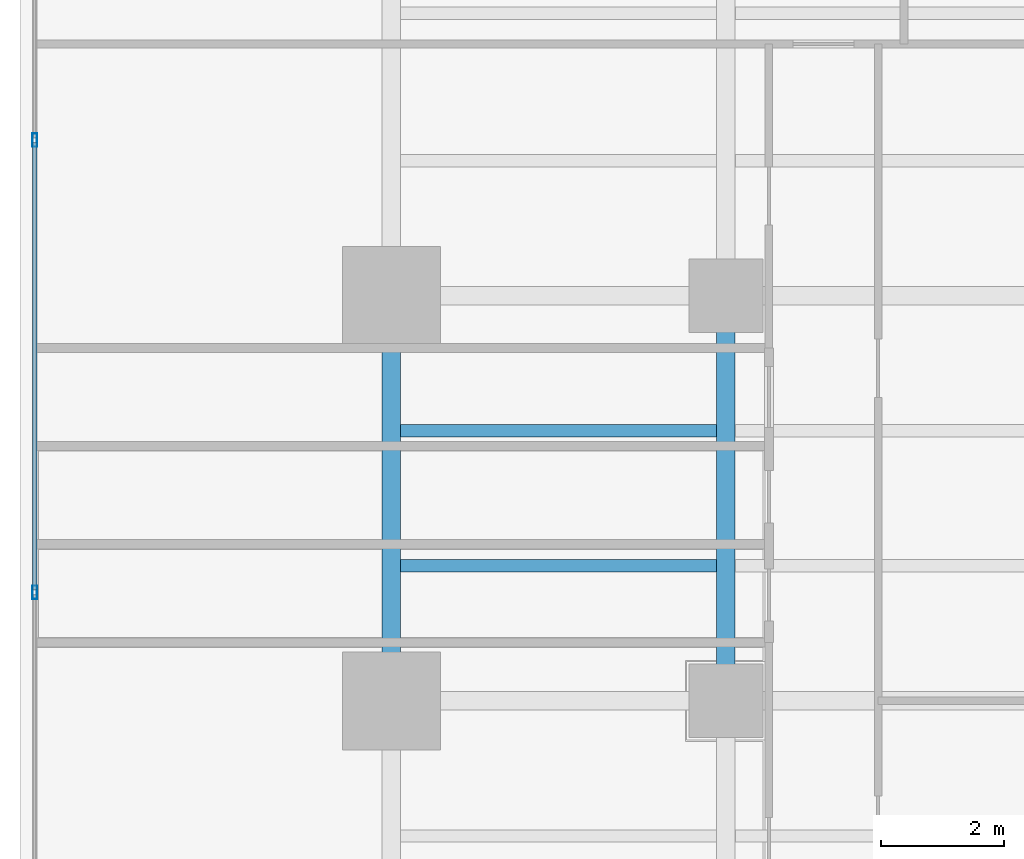
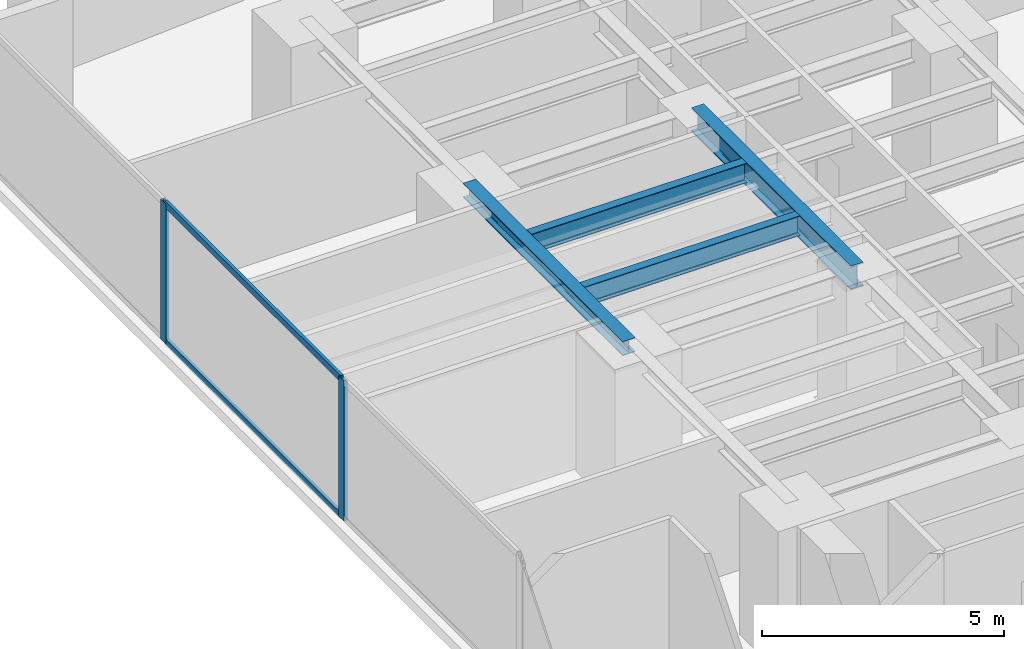
# One storey, part 15 of 30: 4 beams, 4 members, 1 element without a shape of its own.
"""IFC4 building model written with IfcOpenShell, lengths in metres."""

from ifc_helpers import new_model, si_unit, direction, frame, origin, origin_with_axes, origin_2d, place, context, subcontext, project, spatial, hollow_rectangle, i_section, extrude, source, transform, mapped, material, layer, layer_set, material_profile, profile_set, type_object, element, aggregate, save


model = new_model("IFC4")

# Units and contexts
model_context = context("Model", 3, precision=1e-05, world=origin(), true_north=direction((0.0, 1.0)))
body_context = subcontext(model_context, "Body", "Model", "MODEL_VIEW")
ifc_project = project(units=[si_unit("LENGTHUNIT", "METRE"), si_unit("AREAUNIT", "SQUARE_METRE"), si_unit("VOLUMEUNIT", "CUBIC_METRE"), si_unit("PLANEANGLEUNIT", "RADIAN"), si_unit("MASSUNIT", "GRAM", prefix="KILO")], contexts=[model_context])

# Site, building, storey
site_placement = place(None, origin())
site = spatial("IfcSite", under=ifc_project, at=site_placement, CompositionType="ELEMENT")
building_placement = place(site_placement, origin())
building = spatial("IfcBuilding", under=site, at=building_placement, Name="Kolvaren Waterfront Exchange", CompositionType="ELEMENT")
storey_placement = place(building_placement, frame((0.0, 0.0, 52.39990234375)))
storey = spatial("IfcBuildingStorey", under=building, at=storey_placement, Name="L13", CompositionType="ELEMENT", Elevation=52.39990234375)

# Beams
ifc_material_1 = material(Name="Steel S355", Category="steel")
ifc_material_profile_1 = material_profile(ifc_material_1, i_section(OverallWidth=0.300048828125, OverallDepth=0.360107421875, WebThickness=0.012451171875, FlangeThickness=0.0224609375, FilletRadius=0.027099609375, at=origin_2d()), Name="HEB360")
ifc_profile_set_1 = profile_set([ifc_material_profile_1], Name="Steel S355")
beam_type_1 = type_object("IfcBeamType", Name="STR-BM-HEB360", PredefinedType="SPANDREL", material=ifc_profile_set_1)
beam_1_placement = place(storey_placement, frame((7.449951171875, 31.199951171875, 3.360107421875), z_axis=(0.0, 1.0, 0.0), x_axis=(-1.0, 0.0, 0.0)))
element("IfcBeam", 1, at=beam_1_placement, inside=storey, type_object=beam_type_1, Name="L13 north-arm edge beam 2", PredefinedType="SPANDREL", context=body_context, shape_type="SweptSolid", body=[
    extrude(i_section(OverallWidth=0.300048828125, OverallDepth=0.360107421875, WebThickness=0.012451171875, FlangeThickness=0.0224609375, FilletRadius=0.027099609375, at=origin_2d()), origin(), (0.0, 0.0, 1.0), 6.60009765625),
])
ifc_material_profile_2 = material_profile(ifc_material_1, i_section(OverallWidth=0.300048828125, OverallDepth=0.60009765625, WebThickness=0.015380859375, FlangeThickness=0.030029296875, FilletRadius=0.027099609375, at=origin_2d()), Name="HEB600")
ifc_profile_set_2 = profile_set([ifc_material_profile_2], Name="Steel S355")
beam_type_2 = type_object("IfcBeamType", Name="STR-BM-HEB600", PredefinedType="BEAM", material=ifc_profile_set_2)
beam_2_placement = place(storey_placement, frame((12.89990234375, 31.199951171875, 3.239990234375), z_axis=(0.0, 1.0, 0.0), x_axis=(-1.0, 0.0, 0.0)))
element("IfcBeam", 2, at=beam_2_placement, inside=storey, type_object=beam_type_2, Name="L13 north-arm edge beam 2", PredefinedType="BEAM", context=body_context, shape_type="SweptSolid", body=[
    extrude(i_section(OverallWidth=0.300048828125, OverallDepth=0.60009765625, WebThickness=0.015380859375, FlangeThickness=0.030029296875, FilletRadius=0.027099609375, at=origin_2d()), origin(), (0.0, 0.0, 1.0), 6.60009765625),
])
ifc_material_profile_3 = material_profile(ifc_material_1, i_section(OverallWidth=0.199951171875, OverallDepth=0.5, WebThickness=0.01025390625, FlangeThickness=0.01611328125, FilletRadius=0.02099609375, at=origin_2d()), Name="IPE500")
ifc_profile_set_3 = profile_set([ifc_material_profile_3], Name="Steel S355")
beam_type_3 = type_object("IfcBeamType", Name="STR-BM-IPE500", PredefinedType="JOIST", material=ifc_profile_set_3)
for number, where, z_axis, x_axis, name in (
    (3, (7.60205078125, 33.39990234375, 3.2900390625), (1.0, 0.0, 0.0), (0.0, 1.0, 0.0), "L13 north-arm composite joist 3A"),
    (4, (7.60205078125, 35.60009765625, 3.2900390625), (1.0, 0.0, 0.0), (0.0, 1.0, 0.0), "L13 north-arm composite joist 4A"),
):
    element("IfcBeam", number, at=place(storey_placement, frame(where, z_axis=z_axis, x_axis=x_axis)), inside=storey, type_object=beam_type_3, Name=name, PredefinedType="JOIST", context=body_context, shape_type="SweptSolid", body=[
        extrude(i_section(OverallWidth=0.199951171875, OverallDepth=0.5, WebThickness=0.01025390625, FlangeThickness=0.01611328125, FilletRadius=0.02099609375, at=origin_2d()), origin(), (0.0, 0.0, 1.0), 5.14599609375),
    ])

# Curtain wall, members
ifc_material_2 = material(Name="Anodised aluminium 6063-T6", Category="aluminium")
ifc_layer = layer(ifc_material_2, 0.219970703125, Name="Anodised aluminium 6063-T6")
ifc_layer_set = layer_set([ifc_layer], Name="Anodised aluminium 6063-T6")
curtain_wall_type = type_object("IfcCurtainWallType", Name="ARC-CW-SYS2", PredefinedType="USERDEFINED", material=ifc_layer_set)
curtain_wall_placement = place(storey_placement, origin())
curtain_wall = element("IfcCurtainWall", 5, at=curtain_wall_placement, inside=storey, type_object=curtain_wall_type, Name="L13 stick curtain wall CW2 (CW-L13-W)", ObjectType="STICK CURTAIN WALL", PredefinedType="USERDEFINED")
ifc_material_profile_4 = material_profile(ifc_material_2, hollow_rectangle(XDim=0.074951171875, YDim=0.159912109375, WallThickness=0.00439453125, at=origin_2d()), Name="ALU-TRN-160x75x4.5")
ifc_profile_set_4 = profile_set([ifc_material_profile_4], Name="Anodised aluminium 6063-T6")
member_type_1 = type_object("IfcMemberType", Name="ARC-CWT-160", PredefinedType="USERDEFINED", material=ifc_profile_set_4)
shared_shape_1 = source(origin_with_axes(), body_context, "Body", "SweptSolid", [
    extrude(hollow_rectangle(XDim=0.074951171875, YDim=0.159912109375, WallThickness=0.00439453125, at=origin_2d()), origin(), (0.0, 0.0, 1.0), 7.28662109375),
])
member_1_placement = place(storey_placement, frame((1.639892578125, 33.006591796875, 0.03759765625), z_axis=(0.0, 1.0, 0.0), x_axis=(-1.0, 0.0, 0.0)))
member_1 = element("IfcMember", 6, at=member_1_placement, type_object=member_type_1, Name="CW2 transom 5.1", ObjectType="TRANSOM", PredefinedType="USERDEFINED", context=body_context, shape_type="MappedRepresentation", body=[
    mapped(shared_shape_1, transform((0.0, 0.0, 0.0), x_axis=(1.0, 0.0, 0.0), y_axis=(0.0, 1.0, 0.0), z_axis=(0.0, 0.0, 1.0), scale=1.0)),
])
member_2_placement = place(storey_placement, frame((1.639892578125, 33.006591796875, 3.502685546875), z_axis=(0.0, 1.0, 0.0), x_axis=(-1.0, 0.0, 0.0)))
member_2 = element("IfcMember", 7, at=member_2_placement, type_object=member_type_1, Name="CW2 transom 5.2", ObjectType="TRANSOM", PredefinedType="USERDEFINED", context=body_context, shape_type="MappedRepresentation", body=[
    mapped(shared_shape_1, transform((0.0, 0.0, 0.0), x_axis=(1.0, 0.0, 0.0), y_axis=(0.0, 1.0, 0.0), z_axis=(0.0, 0.0, 1.0), scale=1.0)),
])
ifc_material_profile_5 = material_profile(ifc_material_2, hollow_rectangle(XDim=0.080078125, YDim=0.219970703125, WallThickness=0.0048828125, at=origin_2d()), Name="ALU-MUL-220x80x5")
ifc_profile_set_5 = profile_set([ifc_material_profile_5], Name="Anodised aluminium 6063-T6")
member_type_2 = type_object("IfcMemberType", Name="ARC-CWM-220", PredefinedType="MULLION", material=ifc_profile_set_5)
shared_shape_2 = source(origin_with_axes(), body_context, "Body", "SweptSolid", [
    extrude(hollow_rectangle(XDim=0.080078125, YDim=0.219970703125, WallThickness=0.0048828125, at=origin_2d()), origin(), (0.0, 0.0, 1.0), 3.5400390625),
])
member_3_placement = place(storey_placement, frame((1.639892578125, 32.966552734375, 0.0), z_axis=(0.0, 0.0, 1.0), x_axis=(-1.0, 0.0, 0.0)))
member_3 = element("IfcMember", 8, at=member_3_placement, type_object=member_type_2, Name="CW2 mullion 5", PredefinedType="MULLION", context=body_context, shape_type="MappedRepresentation", body=[
    mapped(shared_shape_2, transform((0.0, 0.0, 0.0), x_axis=(1.0, 0.0, 0.0), y_axis=(0.0, 1.0, 0.0), z_axis=(0.0, 0.0, 1.0), scale=1.0)),
])
member_4_placement = place(storey_placement, frame((1.639892578125, 40.333251953125, 0.0), z_axis=(0.0, 0.0, 1.0), x_axis=(-1.0, 0.0, 0.0)))
member_4 = element("IfcMember", 9, at=member_4_placement, type_object=member_type_2, Name="CW2 mullion 6", PredefinedType="MULLION", context=body_context, shape_type="MappedRepresentation", body=[
    mapped(shared_shape_2, transform((0.0, 0.0, 0.0), x_axis=(1.0, 0.0, 0.0), y_axis=(0.0, 1.0, 0.0), z_axis=(0.0, 0.0, 1.0), scale=1.0)),
])
aggregate(curtain_wall, [member_3, member_4, member_1, member_2])

save(model, "model.ifc")
